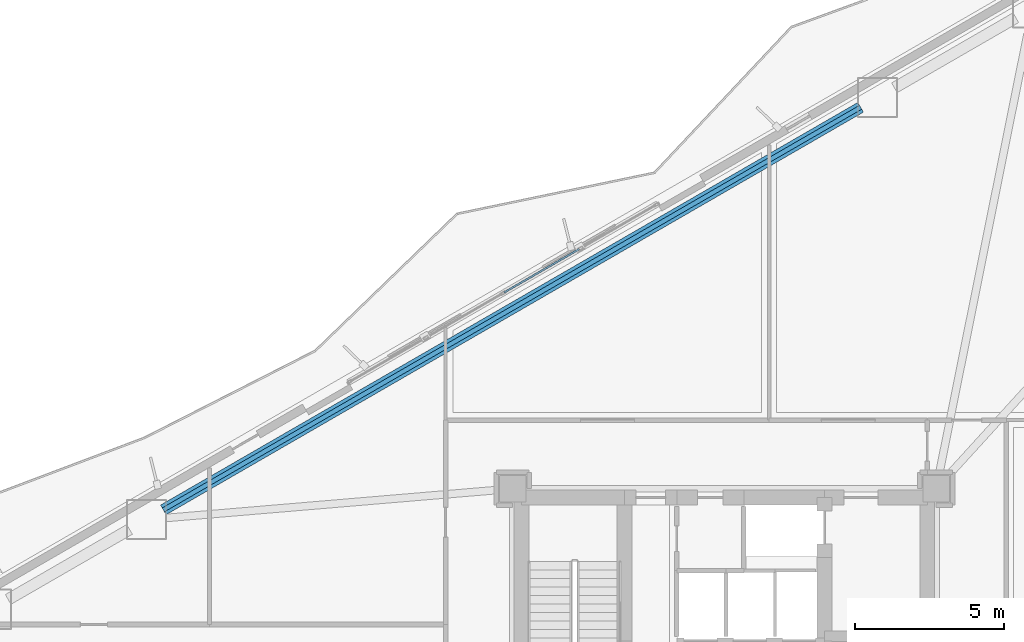
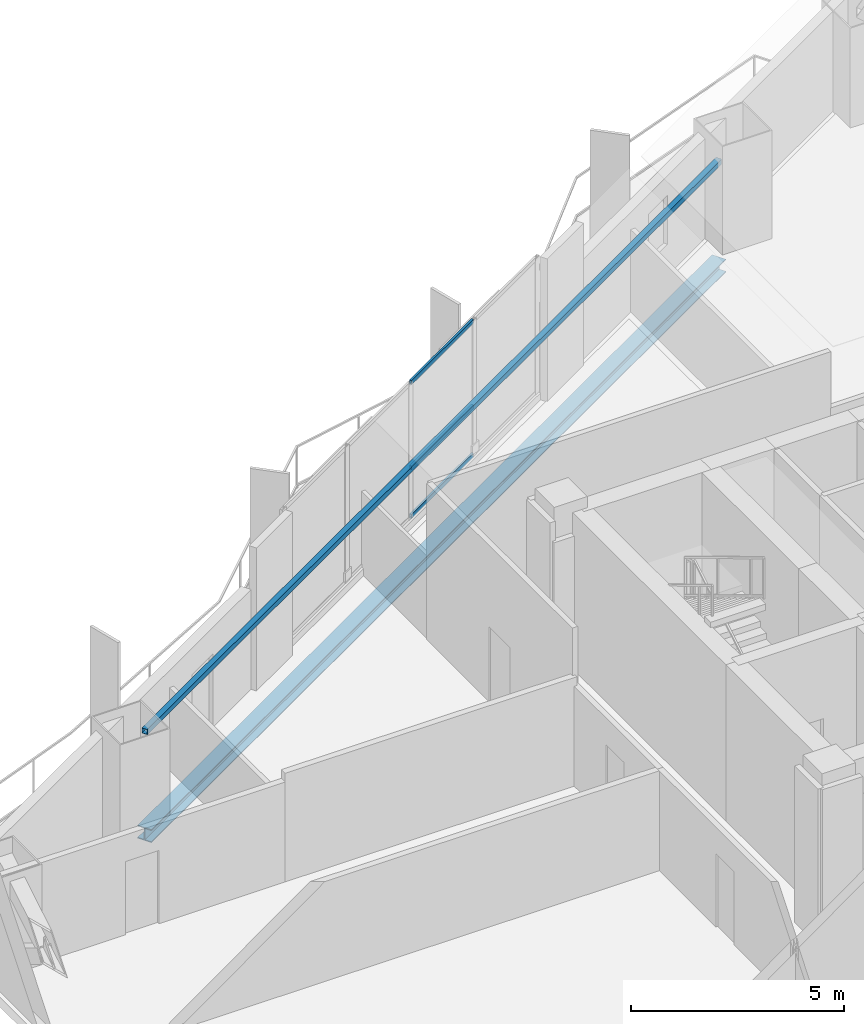
# One storey, part 8 of 16: 3 members, 2 beams, 1 element without a shape of its own.
"""IFC4 building model written with IfcOpenShell, lengths in metres."""

import ifcopenshell
import ifcopenshell.guid

model = None  # the IFC model being written
_history = None  # IfcOwnerHistory: only IFC2X3 demands one
_inside = {}  # id of a spatial element -> (the spatial element, [elements in it])
_under = {}  # id of a project, library or spatial element -> (it, [spatial elements below it])
_declared = {}  # id of a project -> (the project, [libraries it declares])
_typed = {}  # id of a type object -> (the type object, [elements of that type])
_made_of = {}  # id of a material, layer set ... -> (it, [elements and type objects made of it])


def new_model(schema):
    """Start an empty IFC model of exactly this schema.

    Asked for "IFC4X3", IfcOpenShell would pick the latest addendum, in which some entities
    have other attributes; the version numbers below select the first issue.
    IFC2X3 requires an IfcOwnerHistory on every rooted entity: one is made here for all.
    """
    global model, _history
    if schema == "IFC4X3":
        model = ifcopenshell.file(schema_version=(4, 3, 0, 0))
    else:
        model = ifcopenshell.file(schema=schema)
    _inside.clear()
    _under.clear()
    _declared.clear()
    _typed.clear()
    _made_of.clear()
    _history = None
    if model.schema == "IFC2X3":
        org = make("IfcOrganization", Name="unknown")
        user = make(
            "IfcPersonAndOrganization",
            ThePerson=make("IfcPerson", FamilyName="unknown"),
            TheOrganization=org,
        )
        app = make(
            "IfcApplication",
            ApplicationDeveloper=org,
            Version="unknown",
            ApplicationFullName="unknown",
            ApplicationIdentifier="unknown",
        )
        _history = make(
            "IfcOwnerHistory",
            OwningUser=user,
            OwningApplication=app,
            ChangeAction="ADDED",
            CreationDate=0,
        )
    return model


def make(cls, **values):
    """One entity of the class cls with the attributes given. An attribute that is None is left unset."""
    return model.create_entity(
        cls, **{name: value for name, value in values.items() if value is not None}
    )


def rooted(cls, **values):
    """An entity with a GlobalId (a new one), such as an element, a storey or a relation."""
    return make(cls, GlobalId=ifcopenshell.guid.new(), OwnerHistory=_history, **values)


def si_unit(unit_type, name, prefix=None):
    """IfcSIUnit, for example si_unit("LENGTHUNIT", "METRE", prefix="MILLI")."""
    return make("IfcSIUnit", UnitType=unit_type, Prefix=prefix, Name=name)


def assignment(units):
    """IfcUnitAssignment: the units of a project."""
    return None if units is None else make("IfcUnitAssignment", Units=units)


def point(xyz):
    """IfcCartesianPoint."""
    return None if xyz is None else make("IfcCartesianPoint", Coordinates=xyz)


def direction(xyz):
    """IfcDirection."""
    return None if xyz is None else make("IfcDirection", DirectionRatios=xyz)


def frame(location, z_axis=None, x_axis=None):
    """IfcAxis2Placement3D, a coordinate frame: its origin and axes. An axis left out is left unset."""
    return make(
        "IfcAxis2Placement3D",
        Location=point(location),
        Axis=direction(z_axis),
        RefDirection=direction(x_axis),
    )


def frame_2d(location, x_axis=None):
    """IfcAxis2Placement2D, a coordinate frame in the plane: its origin and x axis."""
    return make(
        "IfcAxis2Placement2D", Location=point(location), RefDirection=direction(x_axis)
    )


def origin():
    """The frame at (0, 0, 0) with its axes left unset."""
    return frame((0.0, 0.0, 0.0))


def origin_2d():
    """The frame at (0, 0) in the plane with its x axis left unset."""
    return frame_2d((0.0, 0.0))


def place(relative_to, where):
    """IfcLocalPlacement: puts the frame where relative to a parent placement (None: the world)."""
    return make(
        "IfcLocalPlacement", PlacementRelTo=relative_to, RelativePlacement=where
    )


def context(
    kind, dimensions, precision=None, world=None, true_north=None, identifier=None
):
    """IfcGeometricRepresentationContext, for example the 3D "Model" context."""
    return make(
        "IfcGeometricRepresentationContext",
        ContextIdentifier=identifier,
        ContextType=kind,
        CoordinateSpaceDimension=dimensions,
        Precision=precision,
        WorldCoordinateSystem=world,
        TrueNorth=true_north,
    )


def subcontext(parent, identifier, kind, view, scale=None):
    """IfcGeometricRepresentationSubContext, for example "Body" below "Model"."""
    return make(
        "IfcGeometricRepresentationSubContext",
        ContextIdentifier=identifier,
        ContextType=kind,
        ParentContext=parent,
        TargetScale=scale,
        TargetView=view,
    )


def project(units=None, contexts=None):
    """IfcProject with its units and contexts."""
    return rooted(
        "IfcProject",
        Name="project",
        RepresentationContexts=contexts,
        UnitsInContext=assignment(units),
    )


def spatial(cls, under=None, at=None, **own):
    """A site, building, storey or space (cls), placed at a placement, below another one or the project."""
    s = rooted(cls, ObjectPlacement=at, **own)
    if under is not None:
        _under.setdefault(under.id(), (under, []))[1].append(s)
    return s


def profile(cls, at=None, kind="AREA", **sizes):
    """A parametric profile (cls). Its sizes go by their IFC names, for example OverallWidth=200.0."""
    return make(cls, ProfileType=kind, Position=at, **sizes)


def hollow_rectangle(**sizes):
    """IfcRectangleHollowProfileDef."""
    return profile("IfcRectangleHollowProfileDef", **sizes)


def i_section(**sizes):
    """IfcIShapeProfileDef."""
    return profile("IfcIShapeProfileDef", **sizes)


def extrude(swept, where, along, depth):
    """IfcExtrudedAreaSolid: the profile swept, set in the frame where, extruded along a direction by depth."""
    return make(
        "IfcExtrudedAreaSolid",
        SweptArea=swept,
        Position=where,
        ExtrudedDirection=direction(along),
        Depth=depth,
    )


def shape(context_of_items, identifier, shape_type, items):
    """IfcShapeRepresentation: the items that make up one representation, for example the "Body"."""
    return make(
        "IfcShapeRepresentation",
        ContextOfItems=context_of_items,
        RepresentationIdentifier=identifier,
        RepresentationType=shape_type,
        Items=items,
    )


def material(Name=None, Category=None):
    """IfcMaterial."""
    return make("IfcMaterial", Name=Name, Category=Category)


def layer(
    of_material, thickness, ventilated=None, Name=None, Category=None, Priority=None
):
    """IfcMaterialLayer: one layer of a wall or slab, of a material (None: an air gap)."""
    return make(
        "IfcMaterialLayer",
        Material=of_material,
        LayerThickness=thickness,
        IsVentilated=ventilated,
        Name=Name,
        Category=Category,
        Priority=Priority,
    )


def layer_set(layers, Name=None):
    """IfcMaterialLayerSet."""
    return make("IfcMaterialLayerSet", MaterialLayers=layers, LayerSetName=Name)


def material_profile(
    of_material, cross_section, Name=None, Category=None, Priority=None
):
    """IfcMaterialProfile: a cross section and its material."""
    return make(
        "IfcMaterialProfile",
        Name=Name,
        Material=of_material,
        Profile=cross_section,
        Priority=Priority,
        Category=Category,
    )


def profile_set(profiles, Name=None, composite=None):
    """IfcMaterialProfileSet."""
    return make(
        "IfcMaterialProfileSet",
        Name=Name,
        MaterialProfiles=profiles,
        CompositeProfile=composite,
    )


def made_of(thing, what):
    """Note that an element or type object is made of a material, layer set ...; save() writes the relation."""
    if what is not None:
        _made_of.setdefault(what.id(), (what, []))[1].append(thing)
    return thing


def type_object(cls, material=None, **own):
    """A type object (cls), such as IfcWallType, which elements share."""
    return made_of(rooted(cls, **own), material)


def element(
    cls,
    number,
    at=None,
    inside=None,
    cuts=None,
    type_object=None,
    material=None,
    context=None,
    identifier="Body",
    shape_type=None,
    held_by="IfcProductDefinitionShape",
    body=None,
    shapes=None,
    **own,
):
    """One element of the class cls, such as IfcWall. Its Tag is "e" and its number.

    at: its placement. inside: the storey or other place that contains it. cuts: it is an
    opening in that element (IfcRelVoidsElement). A single representation is given by context,
    identifier, shape_type and body (its items); several are given by shapes. held_by: the class
    of the entity that holds the representations. save() writes the other relations.
    """
    e = rooted(cls, Tag="e%d" % number, ObjectPlacement=at, **own)
    if body is not None:
        shapes = [shape(context, identifier, shape_type, body)]
    if shapes is not None:
        e.Representation = make(held_by, Representations=shapes)
    if inside is not None:
        _inside.setdefault(inside.id(), (inside, []))[1].append(e)
    if cuts is not None:
        rooted(
            "IfcRelVoidsElement", RelatingBuildingElement=cuts, RelatedOpeningElement=e
        )
    if type_object is not None:
        _typed.setdefault(type_object.id(), (type_object, []))[1].append(e)
    return made_of(e, material)


def aggregate(whole, parts):
    """IfcRelAggregates: a whole, such as a stair, and the parts it consists of."""
    return rooted("IfcRelAggregates", RelatingObject=whole, RelatedObjects=parts)


def save(model, path):
    """Write the relations noted so far, then the file.

    IfcRelAggregates (storeys below a building ...), IfcRelContainedInSpatialStructure (elements
    in a storey), IfcRelDefinesByType, IfcRelAssociatesMaterial and IfcRelDeclares: one each for
    every whole, place, type object, material and project.
    """
    for whole, parts in _under.values():
        aggregate(whole, parts)
    for where, things in _inside.values():
        rooted(
            "IfcRelContainedInSpatialStructure",
            RelatedElements=things,
            RelatingStructure=where,
        )
    for kind, things in _typed.values():
        rooted("IfcRelDefinesByType", RelatedObjects=things, RelatingType=kind)
    for what, things in _made_of.values():
        rooted("IfcRelAssociatesMaterial", RelatedObjects=things, RelatingMaterial=what)
    for by, libraries in _declared.values():
        rooted("IfcRelDeclares", RelatingContext=by, RelatedDefinitions=libraries)
    model.write(path)


model = new_model("IFC4")

# Units and contexts
model_context = context("Model", 3, precision=1e-05, world=origin(), true_north=direction((0.0, 1.0)))
body_context = subcontext(model_context, "Body", "Model", "MODEL_VIEW")
ifc_project = project(units=[si_unit("LENGTHUNIT", "METRE"), si_unit("AREAUNIT", "SQUARE_METRE"), si_unit("VOLUMEUNIT", "CUBIC_METRE"), si_unit("PLANEANGLEUNIT", "RADIAN"), si_unit("MASSUNIT", "GRAM", prefix="KILO")], contexts=[model_context])

# Site, building, storey
site_placement = place(None, origin())
site = spatial("IfcSite", under=ifc_project, at=site_placement, CompositionType="ELEMENT")
building_placement = place(site_placement, origin())
building = spatial("IfcBuilding", under=site, at=building_placement, Name="Mersakhor Tower and Convention Hall", CompositionType="ELEMENT")
storey_placement = place(building_placement, frame((0.0, 0.0, 62.10009765625)))
storey = spatial("IfcBuildingStorey", under=building, at=storey_placement, Name="L17", CompositionType="ELEMENT", Elevation=62.10009765625)

# Beams
ifc_material_1 = material(Name="Steel S355", Category="steel")
ifc_material_profile_1 = material_profile(ifc_material_1, hollow_rectangle(XDim=0.14990234375, YDim=0.14990234375, WallThickness=0.010009765625, at=origin_2d()), Name="SHS 150x150x10")
ifc_profile_set_1 = profile_set([ifc_material_profile_1], Name="Steel S355")
beam_type_1 = type_object("IfcBeamType", Name="BM-GRT-SHS150", PredefinedType="USERDEFINED", material=ifc_profile_set_1)
beam_1_placement = place(storey_placement, frame((10.183837890625, 32.341064453125, 2.47998046875), z_axis=(0.866025970279, 0.499999018801, 0.0), x_axis=(-0.499999018801, 0.866025970279, 0.0)))
element("IfcBeam", 1, at=beam_1_placement, inside=storey, type_object=beam_type_1, Name="L17 Facade Support Girt GRT-F1", ObjectType="GIRT", PredefinedType="USERDEFINED", context=body_context, shape_type="SweptSolid", body=[
    extrude(hollow_rectangle(XDim=0.14990234375, YDim=0.14990234375, WallThickness=0.010009765625, at=origin_2d()), origin(), (0.0, 0.0, 1.0), 26.99951171875),
])
ifc_material_2 = material(Name="Steel S355", Category="steel")
ifc_material_profile_2 = material_profile(ifc_material_2, i_section(OverallWidth=0.374755859375, OverallDepth=0.37451171875, WebThickness=0.0166015625, FlangeThickness=0.027099609375, at=origin_2d()), Name="UC 356x368x202")
ifc_profile_set_2 = profile_set([ifc_material_profile_2], Name="Steel S355")
beam_type_2 = type_object("IfcBeamType", Name="BM-SPD-UC356", PredefinedType="SPANDREL", material=ifc_profile_set_2)
beam_2_placement = place(storey_placement, frame((10.183837890625, 32.341064453125, -0.46728515625), z_axis=(0.866025970279, 0.499999018801, 0.0), x_axis=(-0.499999018801, 0.866025970279, 0.0)))
element("IfcBeam", 2, at=beam_2_placement, inside=storey, type_object=beam_type_2, Name="L17 Perimeter Spandrel Beam SPB-02", PredefinedType="SPANDREL", context=body_context, shape_type="SweptSolid", body=[
    extrude(i_section(OverallWidth=0.374755859375, OverallDepth=0.37451171875, WebThickness=0.0166015625, FlangeThickness=0.027099609375, at=origin_2d()), origin(), (0.0, 0.0, 1.0), 26.99951171875),
])

# Curtain wall, members
ifc_material_3 = material(Name="Dark solar low-E aluminium curtain wall", Category="aluminium")
ifc_layer = layer(ifc_material_3, 0.199951171875)
ifc_layer_set = layer_set([ifc_layer], Name="Dark solar low-E aluminium curtain wall")
curtain_wall_type = type_object("IfcCurtainWallType", Name="CW-SYS-05", PredefinedType="USERDEFINED", material=ifc_layer_set)
curtain_wall_placement = place(storey_placement, origin())
curtain_wall = element("IfcCurtainWall", 3, at=curtain_wall_placement, inside=storey, type_object=curtain_wall_type, Name="L17 Dark-Glass Curtain Wall F1-B2", ObjectType="CURTAIN WALL", PredefinedType="USERDEFINED")
ifc_material_4 = material(Name="Anodised aluminium EN AW-6063 T6", Category="aluminium")
ifc_material_profile_3 = material_profile(ifc_material_4, hollow_rectangle(XDim=0.06005859375, YDim=0.1201171875, WallThickness=0.0048828125, at=origin_2d()), Name="RHS 120x60x5")
ifc_profile_set_3 = profile_set([ifc_material_profile_3], Name="Anodised aluminium EN AW-6063 T6")
member_type = type_object("IfcMemberType", Name="CWT-120x60", PredefinedType="USERDEFINED", material=ifc_profile_set_3)
member_1_placement = place(storey_placement, frame((21.609619140625, 39.630615234375, 0.22998046875), z_axis=(0.866037657489, 0.499978775361, 0.0), x_axis=(-0.499978775361, 0.866037657489, 0.0)))
member_1 = element("IfcMember", 4, at=member_1_placement, type_object=member_type, Name="CW-05 transom 3.1", ObjectType="TRANSOM", PredefinedType="USERDEFINED", context=body_context, shape_type="SweptSolid", body=[
    extrude(hollow_rectangle(XDim=0.06005859375, YDim=0.1201171875, WallThickness=0.0048828125, at=origin_2d()), origin(), (0.0, 0.0, 1.0), 2.913330078125),
])
member_2_placement = place(storey_placement, frame((21.609619140625, 39.630615234375, 1.619873046875), z_axis=(0.866037657489, 0.499978775361, 0.0), x_axis=(-0.499978775361, 0.866037657489, 0.0)))
member_2 = element("IfcMember", 5, at=member_2_placement, type_object=member_type, Name="CW-05 transom 3.2", ObjectType="TRANSOM", PredefinedType="USERDEFINED", context=body_context, shape_type="SweptSolid", body=[
    extrude(hollow_rectangle(XDim=0.06005859375, YDim=0.1201171875, WallThickness=0.0048828125, at=origin_2d()), origin(), (0.0, 0.0, 1.0), 2.913330078125),
])
member_3_placement = place(storey_placement, frame((21.609619140625, 39.630615234375, 4.06982421875), z_axis=(0.866037657489, 0.499978775361, 0.0), x_axis=(-0.499978775361, 0.866037657489, 0.0)))
member_3 = element("IfcMember", 6, at=member_3_placement, type_object=member_type, Name="CW-05 transom 3.3", ObjectType="TRANSOM", PredefinedType="USERDEFINED", context=body_context, shape_type="SweptSolid", body=[
    extrude(hollow_rectangle(XDim=0.06005859375, YDim=0.1201171875, WallThickness=0.0048828125, at=origin_2d()), origin(), (0.0, 0.0, 1.0), 2.913330078125),
])
aggregate(curtain_wall, [member_1, member_2, member_3])

save(model, "model.ifc")
